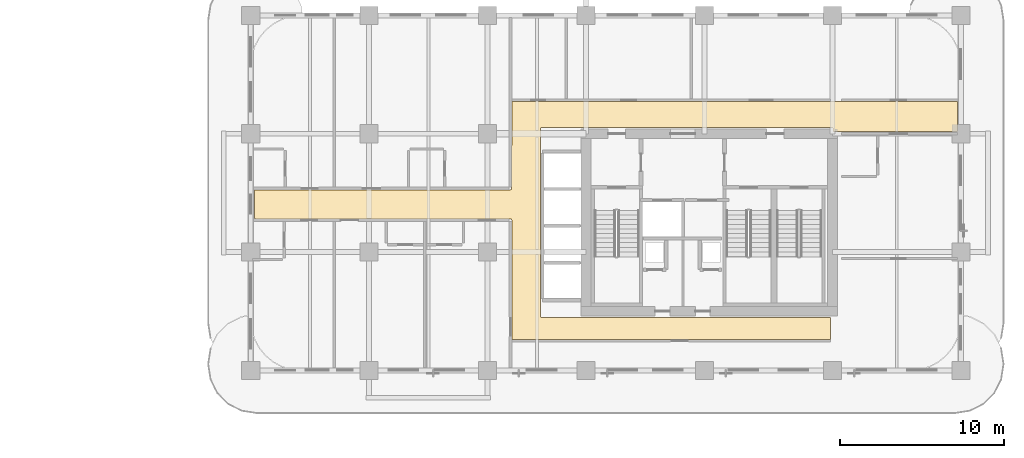
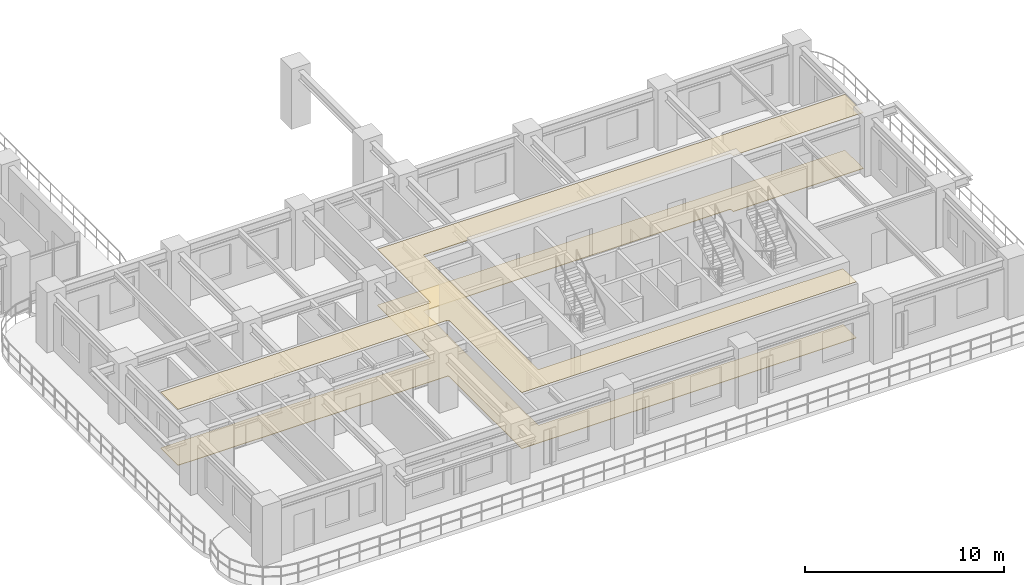
# One storey, part 16 of 19: 2 coverings.
"""IFC4 building model written with IfcOpenShell, lengths in metres."""

from ifc_helpers import new_model, si_unit, derived_unit, direction, frame, origin, place, context, subcontext, project, spatial, polyline, outline, extrude, material, layer, layer_set, type_object, element, save


model = new_model("IFC4")

# Units and contexts
model_context = context("Model", 3, precision=1e-05, world=origin(), true_north=direction((0.0, 1.0)))
body_context = subcontext(model_context, "Body", "Model", "MODEL_VIEW")
ifc_project = project(units=[si_unit("LENGTHUNIT", "METRE"), si_unit("AREAUNIT", "SQUARE_METRE"), si_unit("VOLUMEUNIT", "CUBIC_METRE"), si_unit("PLANEANGLEUNIT", "RADIAN"), si_unit("MASSUNIT", "GRAM", prefix="KILO"), si_unit("THERMODYNAMICTEMPERATUREUNIT", "KELVIN"), si_unit("POWERUNIT", "WATT"), derived_unit("THERMALTRANSMITTANCEUNIT", [(si_unit("POWERUNIT", "WATT"), 1), (si_unit("AREAUNIT", "SQUARE_METRE"), -1), (si_unit("THERMODYNAMICTEMPERATUREUNIT", "KELVIN"), -1)])], contexts=[model_context])

# Site, building, storey
site_placement = place(None, origin())
site = spatial("IfcSite", under=ifc_project, at=site_placement, CompositionType="ELEMENT")
building_placement = place(site_placement, origin())
building = spatial("IfcBuilding", under=site, at=building_placement, Name="Zahravan Archway Hotel and Residences", CompositionType="ELEMENT")
storey_placement = place(building_placement, frame((0.0, 0.0, 32.39990234375)))
storey = spatial("IfcBuildingStorey", under=building, at=storey_placement, Name="L06", CompositionType="ELEMENT", Elevation=32.39990234375)

# Coverings
ifc_material_1 = material(Name="Perforated Acoustic Gypsum Ceiling")
ifc_layer_1 = layer(ifc_material_1, 0.02490234375, Name="Perforated Acoustic Gypsum Ceiling")
ifc_layer_set_1 = layer_set([ifc_layer_1], Name="Perforated Acoustic Gypsum Ceiling")
covering_type_1 = type_object("IfcCoveringType", Name="COV-CEIL-ACST", PredefinedType="CEILING", material=ifc_layer_set_1)
covering_1_placement = place(storey_placement, frame((0.0, 0.0, 3.425048828125)))
element("IfcCovering", 1, at=covering_1_placement, inside=storey, type_object=covering_type_1, Name="L06 Acoustic Corridor Ceiling", PredefinedType="CEILING", context=body_context, shape_type="SweptSolid", body=[
    extrude(outline(polyline([(57.3798828125, 14.530029296875), (49.830078125, 14.530029296875), (49.830078125, 14.699951171875), (49.81640625, 14.744384765625), (49.780517578125, 14.77392578125), (32.10009765625, 14.780029296875), (32.0556640625, 14.7666015625), (32.026123046875, 14.730712890625), (32.02001953125, 3.300048828125), (32.033447265625, 3.255615234375), (32.0693359375, 3.22607421875), (49.669921875, 3.219970703125), (49.669921875, 1.8798828125), (30.280029296875, 1.8798828125), (30.280029296875, 9.14990234375), (30.2666015625, 9.1943359375), (30.230712890625, 9.223876953125), (14.6201171875, 9.22998046875), (14.6201171875, 10.989990234375), (30.199951171875, 10.989990234375), (30.244384765625, 11.00341796875), (30.27392578125, 11.039306640625), (30.280029296875, 16.3701171875), (57.3798828125, 16.3701171875), (57.3798828125, 14.530029296875)])), origin(), (0.0, 0.0, 1.0), 0.025146484375),
])
ifc_material_2 = material(Name="Honed Margalla Limestone & Mortar Bed", Category="masonry")
ifc_layer_2 = layer(ifc_material_2, 0.030029296875, Name="Honed Margalla Limestone & Mortar Bed", Category="masonry")
ifc_layer_set_2 = layer_set([ifc_layer_2], Name="Honed Margalla Limestone & Mortar Bed")
covering_type_2 = type_object("IfcCoveringType", Name="COV-FLR-STONE", PredefinedType="FLOORING", material=ifc_layer_set_2)
covering_2_placement = place(storey_placement, origin())
element("IfcCovering", 2, at=covering_2_placement, inside=storey, type_object=covering_type_2, Name="L06 Circulation Floor Finish", PredefinedType="FLOORING", context=body_context, shape_type="SweptSolid", body=[
    extrude(outline(polyline([(57.3798828125, 14.530029296875), (49.830078125, 14.530029296875), (49.830078125, 14.699951171875), (49.81640625, 14.744384765625), (49.780517578125, 14.77392578125), (32.10009765625, 14.780029296875), (32.0556640625, 14.7666015625), (32.026123046875, 14.730712890625), (32.02001953125, 3.300048828125), (32.033447265625, 3.255615234375), (32.0693359375, 3.22607421875), (49.669921875, 3.219970703125), (49.669921875, 1.8798828125), (30.280029296875, 1.8798828125), (30.280029296875, 9.14990234375), (30.2666015625, 9.1943359375), (30.230712890625, 9.223876953125), (14.6201171875, 9.22998046875), (14.6201171875, 10.989990234375), (30.199951171875, 10.989990234375), (30.244384765625, 11.00341796875), (30.27392578125, 11.039306640625), (30.280029296875, 16.3701171875), (57.3798828125, 16.3701171875), (57.3798828125, 14.530029296875)])), origin(), (0.0, 0.0, 1.0), 0.030029296875),
])

save(model, "model.ifc")
